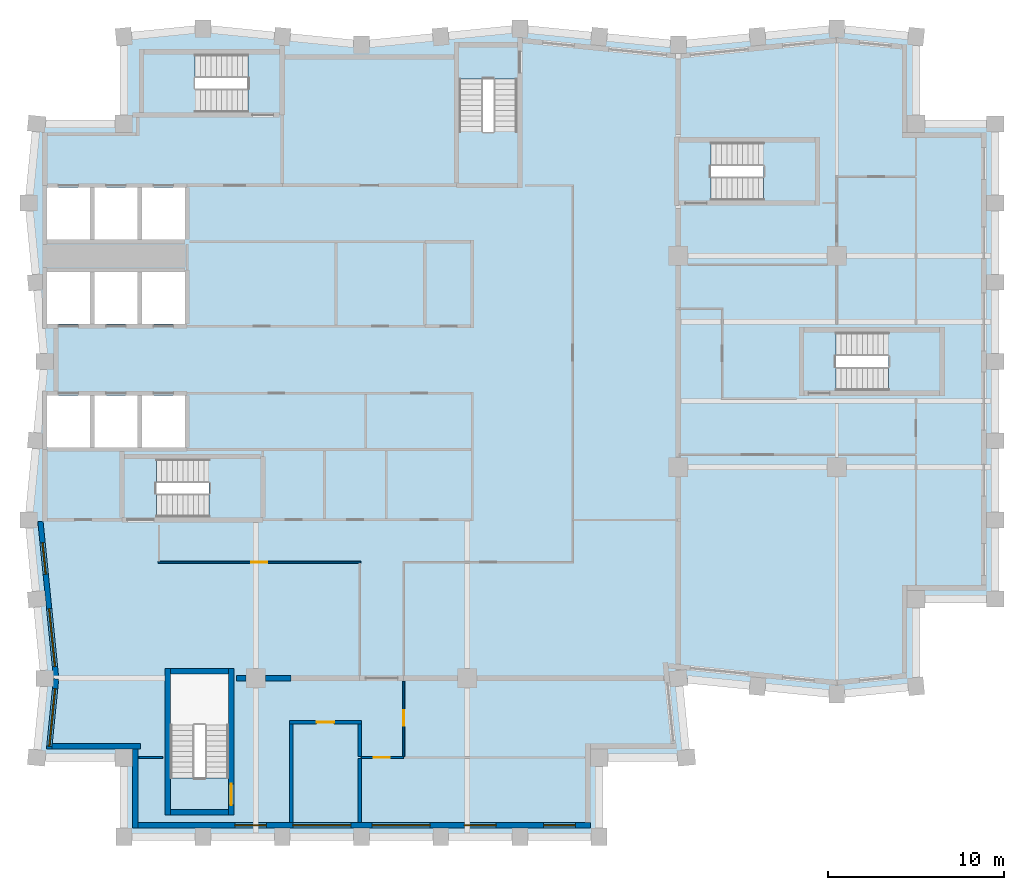
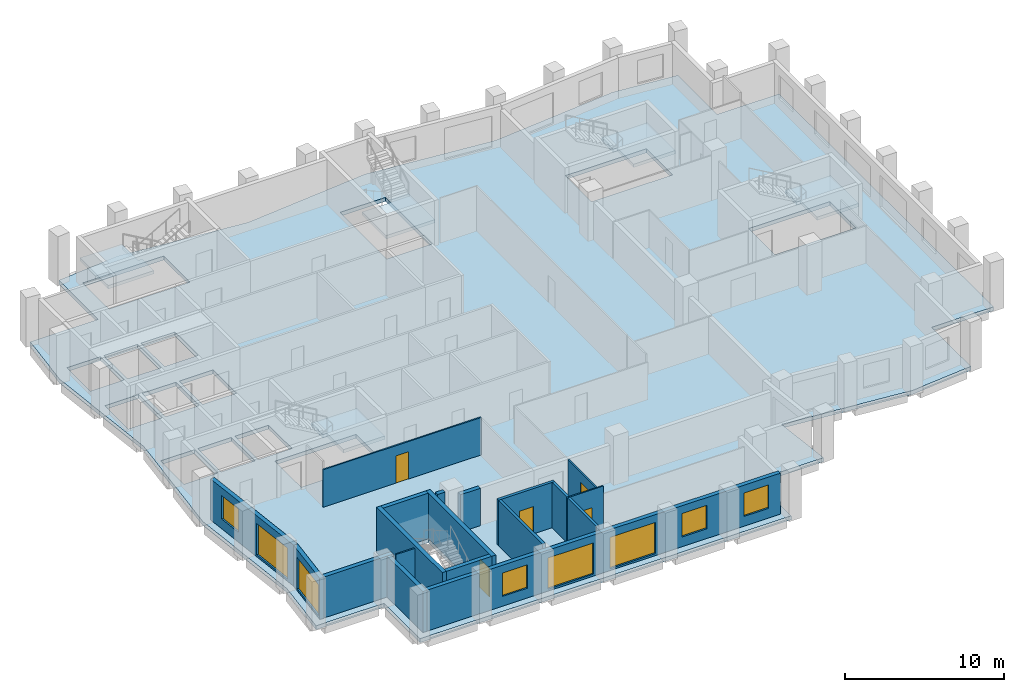
# One storey, part 2 of 8: 19 walls, 8 windows, 6 slabs, 5 doors, 13 openings, 5 elements without a shape of their own.
"""IFC4 building model written with IfcOpenShell, lengths in metres."""

from ifc_helpers import new_model, si_unit, direction, frame, frame_2d, origin, place, context, subcontext, project, spatial, polyline, rectangle, outline, extrude, material, layer, layer_set, type_object, element, fill, aggregate, save


model = new_model("IFC4")

# Units and contexts
model_context = context("Model", 3, precision=1e-05, world=origin(), true_north=direction((0.0, 1.0)))
body_context = subcontext(model_context, "Body", "Model", "MODEL_VIEW")
ifc_project = project(units=[si_unit("LENGTHUNIT", "METRE"), si_unit("AREAUNIT", "SQUARE_METRE"), si_unit("VOLUMEUNIT", "CUBIC_METRE"), si_unit("PLANEANGLEUNIT", "RADIAN"), si_unit("MASSUNIT", "GRAM", prefix="KILO")], contexts=[model_context])

# Site, building, storey
site_placement = place(None, origin())
site = spatial("IfcSite", under=ifc_project, at=site_placement, CompositionType="ELEMENT")
building_placement = place(site_placement, origin())
building = spatial("IfcBuilding", under=site, at=building_placement, Name="Brondeck Convention Tower", CompositionType="ELEMENT")
storey_placement = place(building_placement, frame((0.0, 0.0, 233.0)))
storey = spatial("IfcBuildingStorey", under=building, at=storey_placement, Name="L57", CompositionType="ELEMENT", Elevation=233.0)

# Slab
ifc_material_1 = material(Name="Concrete C35/45", Category="concrete")
ifc_layer_1 = layer(ifc_material_1, 0.300048828125)
ifc_layer_set_1 = layer_set([ifc_layer_1], Name="Composite floor slab 300")
slab_type_1 = type_object("IfcSlabType", Name="Composite floor slab 300", PredefinedType="FLOOR", material=ifc_layer_set_1)
slab_1_placement = place(storey_placement, frame((0.0, 0.0, -0.300048828125)))
element("IfcSlab", 1, at=slab_1_placement, inside=storey, type_object=slab_type_1, Name="STR-SL-L57", PredefinedType="FLOOR", context=body_context, shape_type="SweptSolid", body=[
    extrude(outline(polyline([(4.5, 22.5), (-0.449951171875, 22.5), (0.0, 27.0), (-0.89990234375, 36.0), (0.0, 45.0), (-0.89990234375, 54.0), (-0.449951171875, 58.5), (4.5, 58.5), (4.5, 63.449951171875), (9.0, 63.89990234375), (18.0, 63.0), (27.0, 63.89990234375), (36.0, 63.0), (45.0, 63.89990234375), (49.5, 63.449951171875), (49.5, 58.5), (54.0, 58.5), (54.0, 31.5), (49.5, 31.5), (49.5, 26.550048828125), (45.0, 26.10009765625), (36.0, 27.0), (36.449951171875, 22.5), (31.5, 22.5), (31.5, 18.0), (4.5, 18.0), (4.5, 22.5)]), holes=[polyline([(2.574951171875, 43.074951171875), (0.125, 43.074951171875), (0.125, 40.125), (2.574951171875, 40.125), (2.574951171875, 43.074951171875)]), polyline([(5.27490234375, 40.125), (5.27490234375, 43.074951171875), (2.824951171875, 43.074951171875), (2.824951171875, 40.125), (5.27490234375, 40.125)]), polyline([(7.97509765625, 40.125), (7.97509765625, 43.074951171875), (5.52490234375, 43.074951171875), (5.52490234375, 40.125), (7.97509765625, 40.125)]), polyline([(2.574951171875, 47.125), (2.574951171875, 50.074951171875), (0.125, 50.074951171875), (0.125, 47.125), (2.574951171875, 47.125)]), polyline([(5.27490234375, 47.125), (5.27490234375, 50.074951171875), (2.824951171875, 50.074951171875), (2.824951171875, 47.125), (5.27490234375, 47.125)]), polyline([(7.97509765625, 47.125), (7.97509765625, 50.074951171875), (5.52490234375, 50.074951171875), (5.52490234375, 47.125), (7.97509765625, 47.125)]), polyline([(2.574951171875, 51.925048828125), (2.574951171875, 54.875), (0.125, 54.875), (0.125, 51.925048828125), (2.574951171875, 51.925048828125)]), polyline([(5.27490234375, 51.925048828125), (5.27490234375, 54.875), (2.824951171875, 54.875), (2.824951171875, 51.925048828125), (5.27490234375, 51.925048828125)]), polyline([(10.447998046875, 27.248046875), (7.152099609375, 27.248046875), (7.152099609375, 21.35205078125), (10.447998046875, 21.35205078125), (10.447998046875, 27.248046875)]), polyline([(12.248046875, 36.152099609375), (12.248046875, 39.447998046875), (6.35205078125, 39.447998046875), (6.35205078125, 36.152099609375), (12.248046875, 36.152099609375)]), polyline([(50.847900390625, 43.35205078125), (50.847900390625, 46.64794921875), (44.951904296875, 46.64794921875), (44.951904296875, 43.35205078125), (50.847900390625, 43.35205078125)]), polyline([(7.97509765625, 51.925048828125), (7.97509765625, 54.875), (5.52490234375, 54.875), (5.52490234375, 51.925048828125), (7.97509765625, 51.925048828125)]), polyline([(43.748046875, 54.152099609375), (43.748046875, 57.447998046875), (37.85205078125, 57.447998046875), (37.85205078125, 54.152099609375), (43.748046875, 54.152099609375)]), polyline([(23.552001953125, 55.152099609375), (26.847900390625, 55.152099609375), (26.847900390625, 61.048095703125), (23.552001953125, 61.048095703125), (23.552001953125, 55.152099609375)]), polyline([(5.652099609375, 62.447998046875), (5.652099609375, 59.152099609375), (11.548095703125, 59.152099609375), (11.548095703125, 62.447998046875), (5.652099609375, 62.447998046875)])]), origin(), (0.0, 0.0, 1.0), 0.300048828125),
])

# Stair, slab
ifc_material_2 = material(Name="Precast concrete C50/60", Category="concrete")
stair_type = type_object("IfcStairType", Name="Core stair 22 risers 172.73 mm riser 300 mm going 1350 wide", PredefinedType="HALF_TURN_STAIR", material=ifc_material_2)
stair_1_placement = place(storey_placement, origin())
stair_1 = element("IfcStair", 2, at=stair_1_placement, inside=storey, type_object=stair_type, Name="ST-1 L57 stair", PredefinedType="HALF_TURN_STAIR")
ifc_layer_2 = layer(ifc_material_2, 0.25)
ifc_layer_set_2 = layer_set([ifc_layer_2], Name="Core stair landing 250 Precast concrete C50/60")
slab_type_2 = type_object("IfcSlabType", Name="Core stair landing 250 Precast concrete C50/60", PredefinedType="LANDING", material=ifc_layer_set_2)
slab_2_placement = place(storey_placement, frame((0.0, 0.0, 1.64990234375)))
slab_2 = element("IfcSlab", 3, at=slab_2_placement, type_object=slab_type_2, Name="ST-1 landing 1", PredefinedType="LANDING", context=body_context, shape_type="SweptSolid", body=[
    extrude(outline(polyline([(9.347900390625, 37.5), (9.35009765625, 37.5), (9.35009765625, 38.10009765625), (9.050048828125, 38.10009765625), (9.050048828125, 39.570068359375), (12.3701171875, 39.570068359375), (12.3701171875, 36.030029296875), (9.347900390625, 36.030029296875), (9.347900390625, 37.5)])), origin(), (0.0, 0.0, 1.0), 0.25),
])
aggregate(stair_1, [slab_2])

stair_2_placement = place(storey_placement, origin())
stair_2 = element("IfcStair", 4, at=stair_2_placement, inside=storey, type_object=stair_type, Name="ST-2 L57 stair", PredefinedType="HALF_TURN_STAIR")
slab_3_placement = place(storey_placement, frame((0.0, 0.0, 1.64990234375)))
slab_3 = element("IfcSlab", 5, at=slab_3_placement, type_object=slab_type_2, Name="ST-2 landing 1", PredefinedType="LANDING", context=body_context, shape_type="SweptSolid", body=[
    extrude(outline(polyline([(23.429931640625, 58.052001953125), (24.89990234375, 58.052001953125), (24.89990234375, 58.050048828125), (25.5, 58.050048828125), (25.5, 58.35009765625), (26.969970703125, 58.35009765625), (26.969970703125, 55.030029296875), (23.429931640625, 55.030029296875), (23.429931640625, 58.052001953125)])), origin(), (0.0, 0.0, 1.0), 0.25),
])
aggregate(stair_2, [slab_3])

stair_3_placement = place(storey_placement, origin())
stair_3 = element("IfcStair", 6, at=stair_3_placement, inside=storey, type_object=stair_type, Name="ST-3 L57 stair", PredefinedType="HALF_TURN_STAIR")
slab_4_placement = place(storey_placement, frame((0.0, 0.0, 1.64990234375)))
slab_4 = element("IfcSlab", 7, at=slab_4_placement, type_object=slab_type_2, Name="ST-3 landing 1", PredefinedType="LANDING", context=body_context, shape_type="SweptSolid", body=[
    extrude(outline(polyline([(8.85009765625, 60.5), (8.85009765625, 59.030029296875), (5.530029296875, 59.030029296875), (5.530029296875, 62.570068359375), (8.552001953125, 62.570068359375), (8.552001953125, 61.10009765625), (8.550048828125, 61.10009765625), (8.550048828125, 60.5), (8.85009765625, 60.5)])), origin(), (0.0, 0.0, 1.0), 0.25),
])
aggregate(stair_3, [slab_4])

stair_4_placement = place(storey_placement, origin())
stair_4 = element("IfcStair", 8, at=stair_4_placement, inside=storey, type_object=stair_type, Name="ST-AE L57 stair", PredefinedType="HALF_TURN_STAIR")
slab_5_placement = place(storey_placement, frame((0.0, 0.0, 1.64990234375)))
slab_5 = element("IfcSlab", 9, at=slab_5_placement, type_object=slab_type_2, Name="ST-AE landing 1", PredefinedType="LANDING", context=body_context, shape_type="SweptSolid", body=[
    extrude(outline(polyline([(40.847900390625, 55.5), (40.85009765625, 55.5), (40.85009765625, 56.10009765625), (40.550048828125, 56.10009765625), (40.550048828125, 57.570068359375), (43.8701171875, 57.570068359375), (43.8701171875, 54.030029296875), (40.847900390625, 54.030029296875), (40.847900390625, 55.5)])), origin(), (0.0, 0.0, 1.0), 0.25),
])
aggregate(stair_4, [slab_5])

stair_5_placement = place(storey_placement, origin())
stair_5 = element("IfcStair", 10, at=stair_5_placement, inside=storey, type_object=stair_type, Name="ST-AF L57 stair", PredefinedType="HALF_TURN_STAIR")
slab_6_placement = place(storey_placement, frame((0.0, 0.0, 1.64990234375)))
slab_6 = element("IfcSlab", 11, at=slab_6_placement, type_object=slab_type_2, Name="ST-AF landing 1", PredefinedType="LANDING", context=body_context, shape_type="SweptSolid", body=[
    extrude(outline(polyline([(47.947998046875, 44.699951171875), (47.949951171875, 44.699951171875), (47.949951171875, 45.300048828125), (47.64990234375, 45.300048828125), (47.64990234375, 46.77001953125), (50.969970703125, 46.77001953125), (50.969970703125, 43.22998046875), (47.947998046875, 43.22998046875), (47.947998046875, 44.699951171875)])), origin(), (0.0, 0.0, 1.0), 0.25),
])
aggregate(stair_5, [slab_6])

# Walls
ifc_material_3 = material(Name="Concrete compartment wall C30/37", Category="concrete")
ifc_layer_3 = layer(ifc_material_3, 0.300048828125)
ifc_layer_set_3 = layer_set([ifc_layer_3], Name="Compartment wall 300")
wall_type_1 = type_object("IfcWallType", Name="Compartment wall 300", PredefinedType="PARTITIONING", material=ifc_layer_set_3)
wall_1_placement = place(storey_placement, frame((10.89990234375, 27.0, 0.0), z_axis=(0.0, 0.0, 1.0), x_axis=(1.0, 0.0, 0.0)))
element("IfcWall", 12, at=wall_1_placement, inside=storey, type_object=wall_type_1, Name="FLR-L57-W013", PredefinedType="PARTITIONING", context=body_context, shape_type="SweptSolid", body=[
    extrude(rectangle(XDim=0.545166015625, YDim=0.300048828125, at=frame_2d((0.2724609375, 0.0))), origin(), (0.0, 0.0, 1.0), 3.47998046875),
])
wall_2_placement = place(storey_placement, frame((12.554931640625, 27.0, 0.0), z_axis=(0.0, 0.0, 1.0), x_axis=(1.0, 0.0, 0.0)))
element("IfcWall", 13, at=wall_2_placement, inside=storey, type_object=wall_type_1, Name="FLR-L57-W014", PredefinedType="PARTITIONING", context=body_context, shape_type="SweptSolid", body=[
    extrude(rectangle(XDim=1.445068359375, YDim=0.300048828125, at=frame_2d((0.72265625, 0.0))), origin(), (0.0, 0.0, 1.0), 2.8798828125),
])

# Wall, openings, windows
ifc_material_4 = material(Name="Precast concrete C50/60 bronze finish", Category="concrete")
ifc_layer_4 = layer(ifc_material_4, 0.070068359375, Name="Bronze precast facing")
ifc_material_5 = material(Name="Mineral wool")
ifc_layer_5 = layer(ifc_material_5, 0.159912109375, Name="Insulation")
ifc_layer_6 = layer(ifc_material_1, 0.070068359375, Name="Backing")
ifc_layer_set_4 = layer_set([ifc_layer_4, ifc_layer_5, ifc_layer_6], Name="External infill wall, precast concrete C50/60 bronze facing")
wall_type_2 = type_object("IfcWallType", Name="External infill wall, precast concrete C50/60 bronze facing", PredefinedType="SOLIDWALL", material=ifc_layer_set_4)
wall_3_placement = place(storey_placement, frame((31.0, 18.64990234375, 0.0), z_axis=(0.0, 0.0, 1.0), x_axis=(-1.0, 0.0, 0.0)))
wall_3 = element("IfcWall", 14, at=wall_3_placement, inside=storey, type_object=wall_type_2, Name="ENV-EW-L57-P2-B-S18-01", PredefinedType="SOLIDWALL", context=body_context, shape_type="SweptSolid", body=[
    extrude(rectangle(XDim=25.699951171875, YDim=0.300048828125, at=frame_2d((12.85009765625, 0.0))), origin(), (0.0, 0.0, 1.0), 3.14990234375),
])
opening_1_placement = place(wall_3_placement, frame((0.85009765625, 0.0, 0.75)))
opening_1 = element("IfcOpeningElement", 15, at=opening_1_placement, cuts=wall_3, Name="Opening W10", PredefinedType="OPENING", context=body_context, shape_type="SweptSolid", body=[
    extrude(rectangle(XDim=1.800048828125, YDim=1.800048828125, at=frame_2d((0.89990234375, 0.89990234375))), frame((0.0, 0.159912109375, 0.0), z_axis=(0.0, -1.0, 0.0), x_axis=(1.0, 0.0, 0.0)), (0.0, 0.0, 1.0), 0.320068359375),
])
opening_2_placement = place(wall_3_placement, frame((5.35009765625, 0.0, 0.75)))
opening_2 = element("IfcOpeningElement", 16, at=opening_2_placement, cuts=wall_3, Name="Opening W10", PredefinedType="OPENING", context=body_context, shape_type="SweptSolid", body=[
    extrude(rectangle(XDim=1.800048828125, YDim=1.800048828125, at=frame_2d((0.89990234375, 0.89990234375))), frame((0.0, 0.159912109375, 0.0), z_axis=(0.0, -1.0, 0.0), x_axis=(1.0, 0.0, 0.0)), (0.0, 0.0, 1.0), 0.320068359375),
])
opening_3_placement = place(wall_3_placement, frame((9.10009765625, 0.0, 0.14990234375)))
opening_3 = element("IfcOpeningElement", 17, at=opening_3_placement, cuts=wall_3, Name="Opening W9", PredefinedType="OPENING", context=body_context, shape_type="SweptSolid", body=[
    extrude(rectangle(XDim=3.300048828125, YDim=2.39990234375, at=frame_2d((1.64990234375, 1.199951171875))), frame((0.0, 0.159912109375, 0.0), z_axis=(0.0, -1.0, 0.0), x_axis=(1.0, 0.0, 0.0)), (0.0, 0.0, 1.0), 0.320068359375),
])
opening_4_placement = place(wall_3_placement, frame((13.60009765625, 0.0, 0.14990234375)))
opening_4 = element("IfcOpeningElement", 18, at=opening_4_placement, cuts=wall_3, Name="Opening W9", PredefinedType="OPENING", context=body_context, shape_type="SweptSolid", body=[
    extrude(rectangle(XDim=3.300048828125, YDim=2.39990234375, at=frame_2d((1.64990234375, 1.199951171875))), frame((0.0, 0.159912109375, 0.0), z_axis=(0.0, -1.0, 0.0), x_axis=(1.0, 0.0, 0.0)), (0.0, 0.0, 1.0), 0.320068359375),
])
opening_5_placement = place(wall_3_placement, frame((18.39990234375, 0.0, 0.75)))
opening_5 = element("IfcOpeningElement", 19, at=opening_5_placement, cuts=wall_3, Name="Opening W10", PredefinedType="OPENING", context=body_context, shape_type="SweptSolid", body=[
    extrude(rectangle(XDim=1.800048828125, YDim=1.800048828125, at=frame_2d((0.89990234375, 0.89990234375))), frame((0.0, 0.159912109375, 0.0), z_axis=(0.0, -1.0, 0.0), x_axis=(1.0, 0.0, 0.0)), (0.0, 0.0, 1.0), 0.320068359375),
])
ifc_material_6 = material(Name="Bronze tinted double glazing", Category="glass")
window_type_1 = type_object("IfcWindowType", Name="Glazed flute window, bronze tinted", PartitioningType="SINGLE_PANEL", PredefinedType="WINDOW", material=ifc_material_6)
window_1_placement = place(opening_3_placement, origin())
window_1 = element("IfcWindow", 20, at=window_1_placement, inside=storey, type_object=window_type_1, Name="ENV-WN-L57-P2-B-S18-04", OverallHeight=2.39990234375, OverallWidth=3.300048828125, PartitioningType="SINGLE_PANEL", PredefinedType="WINDOW", context=body_context, shape_type="SweptSolid", body=[
    extrude(rectangle(XDim=3.300048828125, YDim=2.39990234375, at=frame_2d((1.64990234375, 1.199951171875))), frame((0.0, 0.030029296875, 0.0), z_axis=(0.0, -1.0, 0.0), x_axis=(1.0, 0.0, 0.0)), (0.0, 0.0, 1.0), 0.06005859375),
])
fill(opening_3, window_1)
window_2_placement = place(opening_4_placement, origin())
window_2 = element("IfcWindow", 21, at=window_2_placement, inside=storey, type_object=window_type_1, Name="ENV-WN-L57-P2-B-S18-03", OverallHeight=2.39990234375, OverallWidth=3.300048828125, PartitioningType="SINGLE_PANEL", PredefinedType="WINDOW", context=body_context, shape_type="SweptSolid", body=[
    extrude(rectangle(XDim=3.300048828125, YDim=2.39990234375, at=frame_2d((1.64990234375, 1.199951171875))), frame((0.0, 0.030029296875, 0.0), z_axis=(0.0, -1.0, 0.0), x_axis=(1.0, 0.0, 0.0)), (0.0, 0.0, 1.0), 0.06005859375),
])
fill(opening_4, window_2)
window_type_2 = type_object("IfcWindowType", Name="Punched window, bronze tinted", PartitioningType="SINGLE_PANEL", PredefinedType="WINDOW", material=ifc_material_6)
window_3_placement = place(opening_1_placement, origin())
window_3 = element("IfcWindow", 22, at=window_3_placement, inside=storey, type_object=window_type_2, Name="ENV-WN-L57-P2-B-S18-06", OverallHeight=1.800048828125, OverallWidth=1.800048828125, PartitioningType="SINGLE_PANEL", PredefinedType="WINDOW", context=body_context, shape_type="SweptSolid", body=[
    extrude(rectangle(XDim=1.800048828125, YDim=1.800048828125, at=frame_2d((0.89990234375, 0.89990234375))), frame((0.0, 0.030029296875, 0.0), z_axis=(0.0, -1.0, 0.0), x_axis=(1.0, 0.0, 0.0)), (0.0, 0.0, 1.0), 0.06005859375),
])
fill(opening_1, window_3)
window_4_placement = place(opening_2_placement, origin())
window_4 = element("IfcWindow", 23, at=window_4_placement, inside=storey, type_object=window_type_2, Name="ENV-WN-L57-P2-B-S18-05", OverallHeight=1.800048828125, OverallWidth=1.800048828125, PartitioningType="SINGLE_PANEL", PredefinedType="WINDOW", context=body_context, shape_type="SweptSolid", body=[
    extrude(rectangle(XDim=1.800048828125, YDim=1.800048828125, at=frame_2d((0.89990234375, 0.89990234375))), frame((0.0, 0.030029296875, 0.0), z_axis=(0.0, -1.0, 0.0), x_axis=(1.0, 0.0, 0.0)), (0.0, 0.0, 1.0), 0.06005859375),
])
fill(opening_2, window_4)
window_5_placement = place(opening_5_placement, origin())
window_5 = element("IfcWindow", 24, at=window_5_placement, inside=storey, type_object=window_type_2, Name="ENV-WN-L57-P2-B-S18-02", OverallHeight=1.800048828125, OverallWidth=1.800048828125, PartitioningType="SINGLE_PANEL", PredefinedType="WINDOW", context=body_context, shape_type="SweptSolid", body=[
    extrude(rectangle(XDim=1.800048828125, YDim=1.800048828125, at=frame_2d((0.89990234375, 0.89990234375))), frame((0.0, 0.030029296875, 0.0), z_axis=(0.0, -1.0, 0.0), x_axis=(1.0, 0.0, 0.0)), (0.0, 0.0, 1.0), 0.06005859375),
])
fill(opening_5, window_5)

wall_4_placement = place(storey_placement, frame((0.65478515625, 26.985107421875, 0.0), z_axis=(0.0, 0.0, 1.0), x_axis=(-0.099509105781, 0.995036651519, 0.0)))
wall_4 = element("IfcWall", 25, at=wall_4_placement, inside=storey, type_object=wall_type_2, Name="ENV-EW-L57-P2-B-W-06", PredefinedType="SOLIDWALL", context=body_context, shape_type="SweptSolid", body=[
    extrude(rectangle(XDim=8.974609375, YDim=0.300048828125, at=frame_2d((4.4873046875, 0.0))), origin(), (0.0, 0.0, 1.0), 3.14990234375),
])
opening_6_placement = place(wall_4_placement, frame((0.691162109375, 0.0, 0.14990234375)))
opening_6 = element("IfcOpeningElement", 26, at=opening_6_placement, cuts=wall_4, Name="Opening W9", PredefinedType="OPENING", context=body_context, shape_type="SweptSolid", body=[
    extrude(rectangle(XDim=3.300048828125, YDim=2.39990234375, at=frame_2d((1.64990234375, 1.199951171875))), frame((0.0, 0.159912109375, 0.0), z_axis=(0.0, -1.0, 0.0), x_axis=(1.0, 0.0, 0.0)), (0.0, 0.0, 1.0), 0.320068359375),
])
opening_7_placement = place(wall_4_placement, frame((5.963623046875, 0.0, 0.75)))
opening_7 = element("IfcOpeningElement", 27, at=opening_7_placement, cuts=wall_4, Name="Opening W10", PredefinedType="OPENING", context=body_context, shape_type="SweptSolid", body=[
    extrude(rectangle(XDim=1.800048828125, YDim=1.800048828125, at=frame_2d((0.89990234375, 0.89990234375))), frame((0.0, 0.159912109375, 0.0), z_axis=(0.0, -1.0, 0.0), x_axis=(1.0, 0.0, 0.0)), (0.0, 0.0, 1.0), 0.320068359375),
])
window_6_placement = place(opening_6_placement, origin())
window_6 = element("IfcWindow", 28, at=window_6_placement, inside=storey, type_object=window_type_1, Name="ENV-WN-L57-P2-B-W-07", OverallHeight=2.39990234375, OverallWidth=3.300048828125, PartitioningType="SINGLE_PANEL", PredefinedType="WINDOW", context=body_context, shape_type="SweptSolid", body=[
    extrude(rectangle(XDim=3.300048828125, YDim=2.39990234375, at=frame_2d((1.64990234375, 1.199951171875))), frame((0.0, 0.030029296875, 0.0), z_axis=(0.0, -1.0, 0.0), x_axis=(1.0, 0.0, 0.0)), (0.0, 0.0, 1.0), 0.06005859375),
])
fill(opening_6, window_6)
window_7_placement = place(opening_7_placement, origin())
window_7 = element("IfcWindow", 29, at=window_7_placement, inside=storey, type_object=window_type_2, Name="ENV-WN-L57-P2-B-W-06", OverallHeight=1.800048828125, OverallWidth=1.800048828125, PartitioningType="SINGLE_PANEL", PredefinedType="WINDOW", context=body_context, shape_type="SweptSolid", body=[
    extrude(rectangle(XDim=1.800048828125, YDim=1.800048828125, at=frame_2d((0.89990234375, 0.89990234375))), frame((0.0, 0.030029296875, 0.0), z_axis=(0.0, -1.0, 0.0), x_axis=(1.0, 0.0, 0.0)), (0.0, 0.0, 1.0), 0.06005859375),
])
fill(opening_7, window_7)

# Wall, opening, window
wall_5_placement = place(storey_placement, frame((0.251708984375, 22.985107421875, 0.0), z_axis=(0.0, 0.0, 1.0), x_axis=(0.09954596771, 0.995032964435, 0.0)))
wall_5 = element("IfcWall", 30, at=wall_5_placement, inside=storey, type_object=wall_type_2, Name="ENV-EW-L57-P2-B-W-08", PredefinedType="SOLIDWALL", context=body_context, shape_type="SweptSolid", body=[
    extrude(rectangle(XDim=4.0048828125, YDim=0.300048828125, at=frame_2d((2.00244140625, 0.0))), origin(), (0.0, 0.0, 1.0), 3.14990234375),
])
opening_8_placement = place(wall_5_placement, frame((0.14990234375, 0.0, 0.14990234375)))
opening_8 = element("IfcOpeningElement", 31, at=opening_8_placement, cuts=wall_5, Name="Opening W9", PredefinedType="OPENING", context=body_context, shape_type="SweptSolid", body=[
    extrude(rectangle(XDim=3.300048828125, YDim=2.39990234375, at=frame_2d((1.64990234375, 1.199951171875))), frame((0.0, 0.159912109375, 0.0), z_axis=(0.0, -1.0, 0.0), x_axis=(1.0, 0.0, 0.0)), (0.0, 0.0, 1.0), 0.320068359375),
])
window_8_placement = place(opening_8_placement, origin())
window_8 = element("IfcWindow", 32, at=window_8_placement, inside=storey, type_object=window_type_1, Name="ENV-WN-L57-P2-B-W-08", OverallHeight=2.39990234375, OverallWidth=3.300048828125, PartitioningType="SINGLE_PANEL", PredefinedType="WINDOW", context=body_context, shape_type="SweptSolid", body=[
    extrude(rectangle(XDim=3.300048828125, YDim=2.39990234375, at=frame_2d((1.64990234375, 1.199951171875))), frame((0.0, 0.030029296875, 0.0), z_axis=(0.0, -1.0, 0.0), x_axis=(1.0, 0.0, 0.0)), (0.0, 0.0, 1.0), 0.06005859375),
])
fill(opening_8, window_8)

# Walls
wall_6_placement = place(storey_placement, frame((5.449951171875, 23.14990234375, 0.0), z_axis=(0.0, 0.0, 1.0), x_axis=(-1.0, 0.0, 0.0)))
element("IfcWall", 33, at=wall_6_placement, inside=storey, type_object=wall_type_2, Name="ENV-EW-L57-P2-NC-SWB18-01", PredefinedType="SOLIDWALL", context=body_context, shape_type="SweptSolid", body=[
    extrude(rectangle(XDim=5.025634765625, YDim=0.300048828125, at=frame_2d((2.5126953125, 0.0))), origin(), (0.0, 0.0, 1.0), 3.14990234375),
])
wall_7_placement = place(storey_placement, frame((5.14990234375, 18.5, 0.0), z_axis=(0.0, 0.0, 1.0), x_axis=(0.0, 1.0, 0.0)))
element("IfcWall", 34, at=wall_7_placement, inside=storey, type_object=wall_type_2, Name="ENV-EW-L57-P2-NC-SWB18-02", PredefinedType="SOLIDWALL", context=body_context, shape_type="SweptSolid", body=[
    extrude(rectangle(XDim=4.5, YDim=0.300048828125, at=frame_2d((2.25, 0.0))), origin(), (0.0, 0.0, 1.0), 3.14990234375),
])
ifc_material_7 = material(Name="Concrete block wall C16/20", Category="concrete")
ifc_layer_7 = layer(ifc_material_7, 0.199951171875)
ifc_layer_set_5 = layer_set([ifc_layer_7], Name="Plant room wall 200")
wall_type_3 = type_object("IfcWallType", Name="Plant room wall 200", PredefinedType="PARTITIONING", material=ifc_layer_set_5)
wall_8_placement = place(storey_placement, frame((17.89990234375, 22.449951171875, 0.0), z_axis=(0.0, 0.0, 1.0), x_axis=(0.0, -1.0, 0.0)))
element("IfcWall", 35, at=wall_8_placement, inside=storey, type_object=wall_type_3, Name="FLR-L57-W001", PredefinedType="PARTITIONING", context=body_context, shape_type="SweptSolid", body=[
    extrude(rectangle(XDim=3.6298828125, YDim=0.199951171875, at=frame_2d((1.81494140625, 0.0))), origin(), (0.0, 0.0, 1.0), 3.47998046875),
])
wall_9_placement = place(storey_placement, frame((17.89990234375, 22.550048828125, 0.0), z_axis=(0.0, 0.0, 1.0), x_axis=(0.0, 1.0, 0.0)))
element("IfcWall", 36, at=wall_9_placement, inside=storey, type_object=wall_type_3, Name="FLR-L57-W006", PredefinedType="PARTITIONING", context=body_context, shape_type="SweptSolid", body=[
    extrude(rectangle(XDim=1.849853515625, YDim=0.199951171875, at=frame_2d((0.9248046875, 0.0))), origin(), (0.0, 0.0, 1.0), 3.47998046875),
])
wall_10_placement = place(storey_placement, frame((14.0, 24.39990234375, 0.0), z_axis=(0.0, 0.0, 1.0), x_axis=(0.0, -1.0, 0.0)))
element("IfcWall", 37, at=wall_10_placement, inside=storey, type_object=wall_type_3, Name="FLR-L57-W009", PredefinedType="PARTITIONING", context=body_context, shape_type="SweptSolid", body=[
    extrude(rectangle(XDim=5.579833984375, YDim=0.199951171875, at=frame_2d((2.7900390625, 0.0))), origin(), (0.0, 0.0, 1.0), 3.47998046875),
])

# Wall, opening, door
wall_11_placement = place(storey_placement, frame((18.0, 24.5, 0.0), z_axis=(0.0, 0.0, 1.0), x_axis=(-1.0, 0.0, 0.0)))
wall_11 = element("IfcWall", 38, at=wall_11_placement, inside=storey, type_object=wall_type_3, Name="FLR-L57-W010", PredefinedType="PARTITIONING", context=body_context, shape_type="SweptSolid", body=[
    extrude(rectangle(XDim=4.10009765625, YDim=0.199951171875, at=frame_2d((2.050048828125, 0.0))), origin(), (0.0, 0.0, 1.0), 3.47998046875),
])
opening_9_placement = place(wall_11_placement, frame((1.550048828125, 0.0, 0.0)))
opening_9 = element("IfcOpeningElement", 39, at=opening_9_placement, cuts=wall_11, Name="Opening OF-N-002", PredefinedType="OPENING", context=body_context, shape_type="SweptSolid", body=[
    extrude(rectangle(XDim=1.0, YDim=2.10009765625, at=frame_2d((0.5, 1.050048828125))), frame((0.0, 0.10986328125, 0.0), z_axis=(0.0, -1.0, 0.0), x_axis=(1.0, 0.0, 0.0)), (0.0, 0.0, 1.0), 0.219970703125),
])
ifc_material_8 = material(Name="Steel fire door leaf", Category="steel")
door_type_1 = type_object("IfcDoorType", Name="Plant room door 1000", OperationType="NOTDEFINED", PredefinedType="DOOR", material=ifc_material_8)
door_1_placement = place(opening_9_placement, origin())
door_1 = element("IfcDoor", 40, at=door_1_placement, inside=storey, type_object=door_type_1, Name="Door OF-N-002", OperationType="SINGLE_SWING_RIGHT", OverallHeight=2.10009765625, OverallWidth=1.0, PredefinedType="DOOR", context=body_context, shape_type="SweptSolid", body=[
    extrude(rectangle(XDim=1.0, YDim=2.10009765625, at=frame_2d((0.5, 1.050048828125))), frame((0.0, 0.02490234375, 0.0), z_axis=(0.0, -1.0, 0.0), x_axis=(1.0, 0.0, 0.0)), (0.0, 0.0, 1.0), 0.050048828125),
])
fill(opening_9, door_1)

# Wall
ifc_material_9 = material(Name="Gypsum board partition on steel studs", Category="steel")
ifc_layer_8 = layer(ifc_material_9, 0.10009765625)
ifc_layer_set_6 = layer_set([ifc_layer_8], Name="Room partition 100")
wall_type_4 = type_object("IfcWallType", Name="Room partition 100", PredefinedType="PARTITIONING", material=ifc_layer_set_6)
wall_12_placement = place(storey_placement, frame((5.35009765625, 22.5, 0.0), z_axis=(0.0, 0.0, 1.0), x_axis=(1.0, 0.0, 0.0)))
element("IfcWall", 41, at=wall_12_placement, inside=storey, type_object=wall_type_4, Name="FLR-L57-W002", PredefinedType="PARTITIONING", context=body_context, shape_type="SweptSolid", body=[
    extrude(rectangle(XDim=1.349853515625, YDim=0.10009765625, at=frame_2d((0.6748046875, 0.0))), origin(), (0.0, 0.0, 1.0), 3.47998046875),
])

# Wall, opening, door
wall_13_placement = place(storey_placement, frame((20.39990234375, 22.5, 0.0), z_axis=(0.0, 0.0, 1.0), x_axis=(-1.0, 0.0, 0.0)))
wall_13 = element("IfcWall", 42, at=wall_13_placement, inside=storey, type_object=wall_type_4, Name="FLR-L57-W003", PredefinedType="PARTITIONING", context=body_context, shape_type="SweptSolid", body=[
    extrude(rectangle(XDim=2.39990234375, YDim=0.10009765625, at=frame_2d((1.199951171875, 0.0))), origin(), (0.0, 0.0, 1.0), 3.47998046875),
])
opening_10_placement = place(wall_13_placement, frame((0.800048828125, 0.0, 0.0)))
opening_10 = element("IfcOpeningElement", 43, at=opening_10_placement, cuts=wall_13, Name="Opening OF-N-007", PredefinedType="OPENING", context=body_context, shape_type="SweptSolid", body=[
    extrude(rectangle(XDim=0.89990234375, YDim=2.10009765625, at=frame_2d((0.449951171875, 1.050048828125))), frame((0.0, 0.06005859375, 0.0), z_axis=(0.0, -1.0, 0.0), x_axis=(1.0, 0.0, 0.0)), (0.0, 0.0, 1.0), 0.1201171875),
])
ifc_material_10 = material(Name="Solid timber door leaf", Category="wood")
door_type_2 = type_object("IfcDoorType", Name="Single door 900", OperationType="NOTDEFINED", PredefinedType="DOOR", material=ifc_material_10)
door_2_placement = place(opening_10_placement, origin())
door_2 = element("IfcDoor", 44, at=door_2_placement, inside=storey, type_object=door_type_2, Name="Door OF-N-007", OperationType="SINGLE_SWING_LEFT", OverallHeight=2.10009765625, OverallWidth=0.89990234375, PredefinedType="DOOR", context=body_context, shape_type="SweptSolid", body=[
    extrude(rectangle(XDim=0.89990234375, YDim=2.10009765625, at=frame_2d((0.449951171875, 1.050048828125))), frame((0.0, 0.02490234375, 0.0), z_axis=(0.0, -1.0, 0.0), x_axis=(1.0, 0.0, 0.0)), (0.0, 0.0, 1.0), 0.050048828125),
])
fill(opening_10, door_2)

wall_14_placement = place(storey_placement, frame((20.39990234375, 26.830078125, 0.0), z_axis=(0.0, 0.0, 1.0), x_axis=(0.0, -1.0, 0.0)))
wall_14 = element("IfcWall", 45, at=wall_14_placement, inside=storey, type_object=wall_type_4, Name="FLR-L57-W011", PredefinedType="PARTITIONING", context=body_context, shape_type="SweptSolid", body=[
    extrude(rectangle(XDim=4.280029296875, YDim=0.10009765625, at=frame_2d((2.14013671875, 0.0))), origin(), (0.0, 0.0, 1.0), 2.8798828125),
])
opening_11_placement = place(wall_14_placement, frame((1.6298828125, 0.0, 0.0)))
opening_11 = element("IfcOpeningElement", 46, at=opening_11_placement, cuts=wall_14, Name="Opening OF-N-008", PredefinedType="OPENING", context=body_context, shape_type="SweptSolid", body=[
    extrude(rectangle(XDim=0.89990234375, YDim=2.10009765625, at=frame_2d((0.449951171875, 1.050048828125))), frame((0.0, 0.06005859375, 0.0), z_axis=(0.0, -1.0, 0.0), x_axis=(1.0, 0.0, 0.0)), (0.0, 0.0, 1.0), 0.1201171875),
])
door_3_placement = place(opening_11_placement, origin())
door_3 = element("IfcDoor", 47, at=door_3_placement, inside=storey, type_object=door_type_2, Name="Door OF-N-008", OperationType="SINGLE_SWING_LEFT", OverallHeight=2.10009765625, OverallWidth=0.89990234375, PredefinedType="DOOR", context=body_context, shape_type="SweptSolid", body=[
    extrude(rectangle(XDim=0.89990234375, YDim=2.10009765625, at=frame_2d((0.449951171875, 1.050048828125))), frame((0.0, 0.02490234375, 0.0), z_axis=(0.0, -1.0, 0.0), x_axis=(1.0, 0.0, 0.0)), (0.0, 0.0, 1.0), 0.050048828125),
])
fill(opening_11, door_3)

wall_15_placement = place(storey_placement, frame((17.949951171875, 33.60009765625, 0.0), z_axis=(0.0, 0.0, 1.0), x_axis=(-1.0, 0.0, 0.0)))
wall_15 = element("IfcWall", 48, at=wall_15_placement, inside=storey, type_object=wall_type_4, Name="FLR-L57-W025", PredefinedType="PARTITIONING", context=body_context, shape_type="SweptSolid", body=[
    extrude(rectangle(XDim=11.5, YDim=0.10009765625, at=frame_2d((5.75, 0.0))), origin(), (0.0, 0.0, 1.0), 2.8798828125),
])
opening_12_placement = place(wall_15_placement, frame((5.300048828125, 0.0, 0.0)))
opening_12 = element("IfcOpeningElement", 49, at=opening_12_placement, cuts=wall_15, Name="Opening OF-N-009", PredefinedType="OPENING", context=body_context, shape_type="SweptSolid", body=[
    extrude(rectangle(XDim=0.89990234375, YDim=2.10009765625, at=frame_2d((0.449951171875, 1.050048828125))), frame((0.0, 0.06005859375, 0.0), z_axis=(0.0, -1.0, 0.0), x_axis=(1.0, 0.0, 0.0)), (0.0, 0.0, 1.0), 0.1201171875),
])
door_4_placement = place(opening_12_placement, origin())
door_4 = element("IfcDoor", 50, at=door_4_placement, inside=storey, type_object=door_type_2, Name="Door OF-N-009", OperationType="SINGLE_SWING_LEFT", OverallHeight=2.10009765625, OverallWidth=0.89990234375, PredefinedType="DOOR", context=body_context, shape_type="SweptSolid", body=[
    extrude(rectangle(XDim=0.89990234375, YDim=2.10009765625, at=frame_2d((0.449951171875, 1.050048828125))), frame((0.0, 0.02490234375, 0.0), z_axis=(0.0, -1.0, 0.0), x_axis=(1.0, 0.0, 0.0)), (0.0, 0.0, 1.0), 0.050048828125),
])
fill(opening_12, door_4)

# Walls
ifc_material_11 = material(Name="Concrete C50/60", Category="concrete")
ifc_layer_9 = layer(ifc_material_11, 0.300048828125)
ifc_layer_set_7 = layer_set([ifc_layer_9], Name="Stair enclosure wall 300 Concrete C50/60")
wall_type_5 = type_object("IfcWallType", Name="Stair enclosure wall 300 Concrete C50/60", PredefinedType="SHEAR", material=ifc_layer_set_7)
for number, where, z_axis, x_axis, name in (
    (51, (7.14990234375, 19.39990234375, 0.0), (0.0, 0.0, 1.0), (1.0, 0.0, 0.0), "L57 core wall"),
    (52, (7.14990234375, 27.39990234375, 0.0), (0.0, 0.0, 1.0), (1.0, 0.0, 0.0), "L57 core wall"),
):
    element("IfcWall", number, at=place(storey_placement, frame(where, z_axis=z_axis, x_axis=x_axis)), inside=storey, type_object=wall_type_5, Name=name, PredefinedType="SHEAR", context=body_context, shape_type="SweptSolid", body=[
        extrude(rectangle(XDim=3.300048828125, YDim=0.300048828125, at=frame_2d((1.64990234375, 0.0))), origin(), (0.0, 0.0, 1.0), 3.5),
    ])
wall_16_placement = place(storey_placement, frame((7.0, 19.25, 0.0), z_axis=(0.0, 0.0, 1.0), x_axis=(0.0, 1.0, 0.0)))
element("IfcWall", 53, at=wall_16_placement, inside=storey, type_object=wall_type_5, Name="L57 core wall", PredefinedType="SHEAR", context=body_context, shape_type="SweptSolid", body=[
    extrude(rectangle(XDim=8.300048828125, YDim=0.300048828125, at=frame_2d((4.14990234375, 0.0))), origin(), (0.0, 0.0, 1.0), 3.5),
])

# Wall, opening, door
wall_17_placement = place(storey_placement, frame((10.60009765625, 19.25, 0.0), z_axis=(0.0, 0.0, 1.0), x_axis=(0.0, 1.0, 0.0)))
wall_17 = element("IfcWall", 54, at=wall_17_placement, inside=storey, type_object=wall_type_5, Name="L57 core wall", PredefinedType="SHEAR", context=body_context, shape_type="SweptSolid", body=[
    extrude(rectangle(XDim=8.300048828125, YDim=0.300048828125, at=frame_2d((4.14990234375, 0.0))), origin(), (0.0, 0.0, 1.0), 3.5),
])
opening_13_placement = place(wall_17_placement, frame((0.550048828125, 0.0, 0.0)))
opening_13 = element("IfcOpeningElement", 55, at=opening_13_placement, cuts=wall_17, Name="Opening C31-17", PredefinedType="OPENING", context=body_context, shape_type="SweptSolid", body=[
    extrude(rectangle(XDim=1.199951171875, YDim=2.199951171875, at=frame_2d((0.60009765625, 1.10009765625))), frame((0.0, 0.159912109375, 0.0), z_axis=(0.0, -1.0, 0.0), x_axis=(1.0, 0.0, 0.0)), (0.0, 0.0, 1.0), 0.320068359375),
])
ifc_material_12 = material(Name="Steel fire door", Category="steel")
door_type_3 = type_object("IfcDoorType", Name="Stair door 1200x2200 EI 90", OperationType="NOTDEFINED", PredefinedType="DOOR", material=ifc_material_12)
door_5_placement = place(opening_13_placement, origin())
door_5 = element("IfcDoor", 56, at=door_5_placement, inside=storey, type_object=door_type_3, Name="L57 Stair door ST-BE", OperationType="SINGLE_SWING_RIGHT", OverallHeight=2.199951171875, OverallWidth=1.199951171875, PredefinedType="DOOR", context=body_context, shape_type="SweptSolid", body=[
    extrude(rectangle(XDim=1.199951171875, YDim=2.199951171875, at=frame_2d((0.60009765625, 1.10009765625))), frame((0.0, 0.02490234375, 0.0), z_axis=(0.0, -1.0, 0.0), x_axis=(1.0, 0.0, 0.0)), (0.0, 0.0, 1.0), 0.050048828125),
])
fill(opening_13, door_5)

save(model, "model.ifc")
